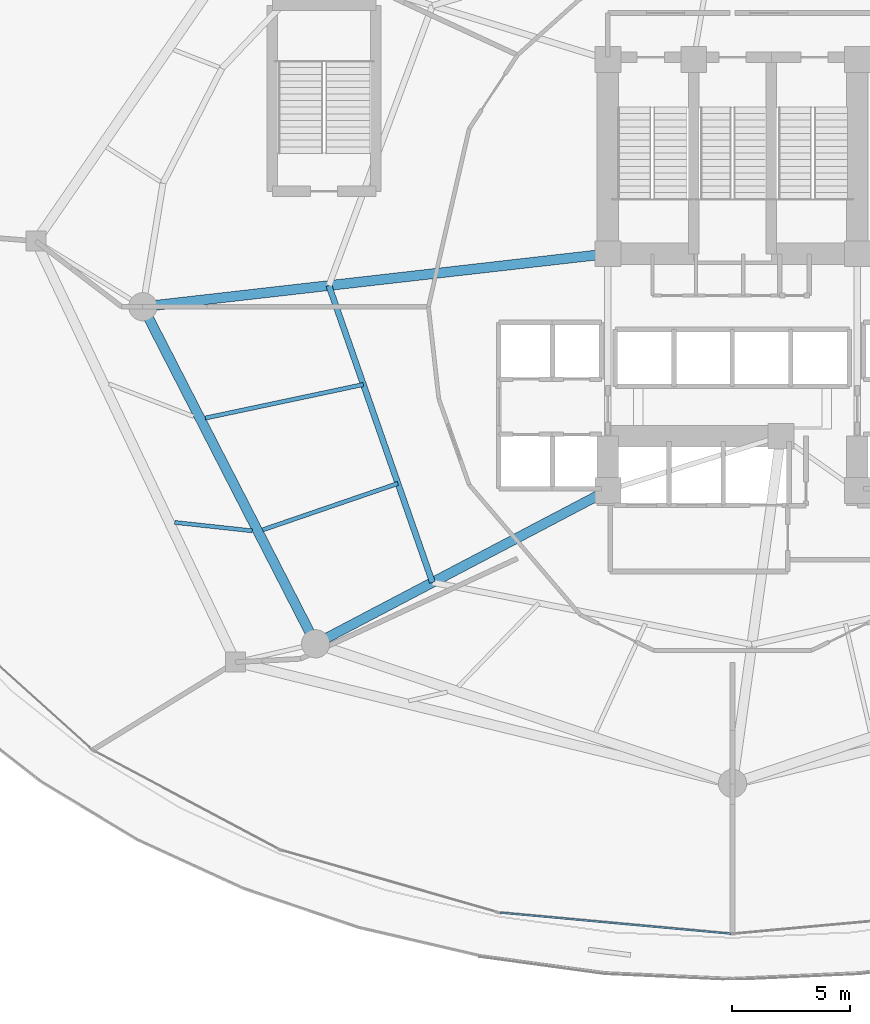
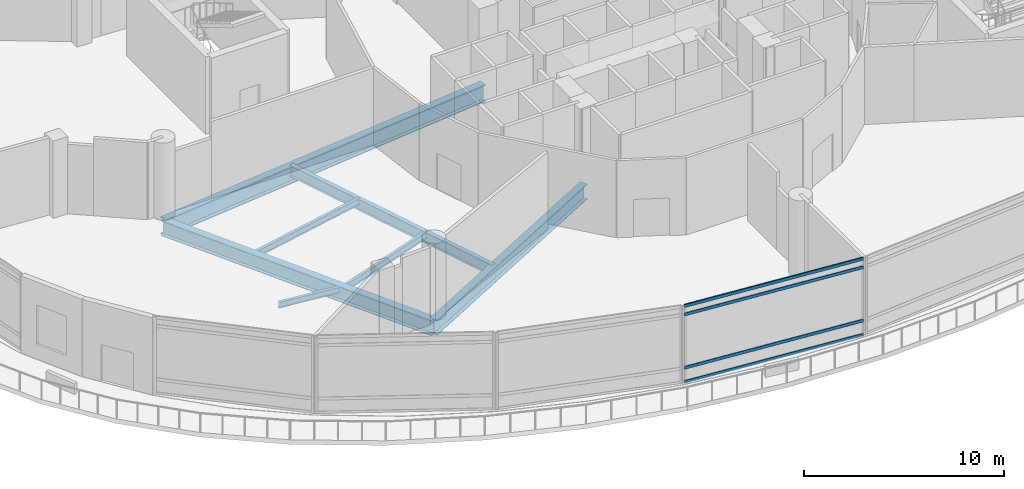
# One storey, part 8 of 37: 7 beams, 4 members, 1 element without a shape of its own.
"""IFC4 building model written with IfcOpenShell, lengths in metres."""

from ifc_helpers import new_model, si_unit, direction, frame, origin, origin_2d, place, context, subcontext, project, spatial, hollow_rectangle, i_section, extrude, material, layer, layer_set, material_profile, profile_set, type_object, element, aggregate, save


model = new_model("IFC4")

# Units and contexts
model_context = context("Model", 3, precision=1e-05, world=origin(), true_north=direction((0.0, 1.0)))
body_context = subcontext(model_context, "Body", "Model", "MODEL_VIEW")
ifc_project = project(units=[si_unit("LENGTHUNIT", "METRE"), si_unit("AREAUNIT", "SQUARE_METRE"), si_unit("VOLUMEUNIT", "CUBIC_METRE"), si_unit("PLANEANGLEUNIT", "RADIAN"), si_unit("MASSUNIT", "GRAM", prefix="KILO")], contexts=[model_context])

# Site, building, storey
site_placement = place(None, origin())
site = spatial("IfcSite", under=ifc_project, at=site_placement, CompositionType="ELEMENT")
building_placement = place(site_placement, origin())
building = spatial("IfcBuilding", under=site, at=building_placement, Name="Nuhasar Tower", CompositionType="ELEMENT")
storey_placement = place(building_placement, frame((0.0, 0.0, 6.0)))
storey = spatial("IfcBuildingStorey", under=building, at=storey_placement, Name="L01", CompositionType="ELEMENT", Elevation=6.0)

# Beams
ifc_material_1 = material(Name="Steel S355", Category="steel")
ifc_material_profile_1 = material_profile(ifc_material_1, i_section(OverallWidth=0.25390625, OverallDepth=0.68408203125, WebThickness=0.012451171875, FlangeThickness=0.018798828125, at=origin_2d()), Name="W27X94")
ifc_profile_set_1 = profile_set([ifc_material_profile_1], Name="Steel S355")
beam_type_1 = type_object("IfcBeamType", Name="BM-INRING-W27X94", PredefinedType="BEAM", material=ifc_profile_set_1)
beam_1_placement = place(storey_placement, frame((21.85009765625, 27.699951171875, -0.64208984375), z_axis=(0.329554049858, -0.944136710558, 0.0), x_axis=(0.944136710558, 0.329554049858, 0.0)))
element("IfcBeam", 1, at=beam_1_placement, inside=storey, type_object=beam_type_1, Name="L01 Inner Header Beam 08", PredefinedType="BEAM", context=body_context, shape_type="SweptSolid", body=[
    extrude(i_section(OverallWidth=0.25390625, OverallDepth=0.68408203125, WebThickness=0.012451171875, FlangeThickness=0.018798828125, at=origin_2d()), origin(), (0.0, 0.0, 1.0), 13.35693359375),
])
ifc_material_profile_2 = material_profile(ifc_material_1, i_section(OverallWidth=0.1708984375, OverallDepth=0.35205078125, WebThickness=0.0068359375, FlangeThickness=0.009765625, at=origin_2d()), Name="W14X30")
ifc_profile_set_2 = profile_set([ifc_material_profile_2], Name="Steel S355")
beam_type_2 = type_object("IfcBeamType", Name="BM-JST-W14X30", PredefinedType="JOIST", material=ifc_profile_set_2)
beam_2_placement = place(storey_placement, frame((18.595947265625, 17.281005859375, -0.47607421875), z_axis=(-0.994173354621, 0.107793046904, 0.0), x_axis=(-0.107793046904, -0.994173354621, 0.0)))
element("IfcBeam", 2, at=beam_2_placement, inside=storey, type_object=beam_type_2, Name="L01 Podium Secondary Joist 16", PredefinedType="JOIST", context=body_context, shape_type="SweptSolid", body=[
    extrude(i_section(OverallWidth=0.1708984375, OverallDepth=0.35205078125, WebThickness=0.0068359375, FlangeThickness=0.009765625, at=origin_2d()), origin(), (0.0, 0.0, 1.0), 3.311279296875),
])
ifc_material_profile_3 = material_profile(ifc_material_1, i_section(OverallWidth=0.177978515625, OverallDepth=0.406005859375, WebThickness=0.0078125, FlangeThickness=0.0126953125, at=origin_2d()), Name="W16X40")
ifc_profile_set_3 = profile_set([ifc_material_profile_3], Name="Steel S355")
beam_type_3 = type_object("IfcBeamType", Name="BM-JST-W16X40", PredefinedType="JOIST", material=ifc_profile_set_3)
beam_3_placement = place(storey_placement, frame((23.31689453125, 23.49609375, -0.5029296875), z_axis=(-0.978201506775, -0.207657920972, 0.0), x_axis=(0.207657920972, -0.978201506775, 0.0)))
element("IfcBeam", 3, at=beam_3_placement, inside=storey, type_object=beam_type_3, Name="L01 Secondary Floor Joist 15", PredefinedType="JOIST", context=body_context, shape_type="SweptSolid", body=[
    extrude(i_section(OverallWidth=0.177978515625, OverallDepth=0.406005859375, WebThickness=0.0078125, FlangeThickness=0.0126953125, at=origin_2d()), origin(), (0.0, 0.0, 1.0), 6.862548828125),
])
beam_4_placement = place(storey_placement, frame((24.784912109375, 19.29296875, -0.5029296875), z_axis=(-0.945915296606, -0.324413704469, 0.0), x_axis=(0.324413704469, -0.945915296606, 0.0)))
element("IfcBeam", 4, at=beam_4_placement, inside=storey, type_object=beam_type_3, Name="L01 Secondary Floor Joist 16", PredefinedType="JOIST", context=body_context, shape_type="SweptSolid", body=[
    extrude(i_section(OverallWidth=0.177978515625, OverallDepth=0.406005859375, WebThickness=0.0078125, FlangeThickness=0.0126953125, at=origin_2d()), origin(), (0.0, 0.0, 1.0), 6.075439453125),
])
ifc_material_profile_4 = material_profile(ifc_material_1, i_section(OverallWidth=0.419921875, OverallDepth=0.931884765625, WebThickness=0.021240234375, FlangeThickness=0.03662109375, at=origin_2d()), Name="W36X262")
ifc_profile_set_4 = profile_set([ifc_material_profile_4], Name="Steel S355")
beam_type_4 = type_object("IfcBeamType", Name="BM-POD-W36X262", PredefinedType="BEAM", material=ifc_profile_set_4)
beam_5_placement = place(storey_placement, frame((13.949951171875, 26.800048828125, -0.76611328125), z_axis=(0.456023040981, -0.88996796914, 0.0), x_axis=(0.88996796914, 0.456023040981, 0.0)))
element("IfcBeam", 5, at=beam_5_placement, inside=storey, type_object=beam_type_4, Name="L01 Mega-Column Ring Girder 08", PredefinedType="BEAM", context=body_context, shape_type="SweptSolid", body=[
    extrude(i_section(OverallWidth=0.419921875, OverallDepth=0.931884765625, WebThickness=0.021240234375, FlangeThickness=0.03662109375, at=origin_2d()), origin(), (0.0, 0.0, 1.0), 16.08935546875),
])
beam_6_placement = place(storey_placement, frame((33.699951171875, 19.0, -0.76611328125), z_axis=(-0.885330348705, -0.464962550816, 0.0), x_axis=(0.464962550816, -0.885330348705, 0.0)))
element("IfcBeam", 6, at=beam_6_placement, inside=storey, type_object=beam_type_4, Name="L01 Radial Floor Girder 01", PredefinedType="BEAM", context=body_context, shape_type="SweptSolid", body=[
    extrude(i_section(OverallWidth=0.419921875, OverallDepth=0.931884765625, WebThickness=0.021240234375, FlangeThickness=0.03662109375, at=origin_2d()), origin(), (0.0, 0.0, 1.0), 14.0205078125),
])
ifc_material_2 = material(Name="Steel S460", Category="steel")
ifc_material_profile_5 = material_profile(ifc_material_2, i_section(OverallWidth=0.419921875, OverallDepth=1.0400390625, WebThickness=0.031005859375, FlangeThickness=0.055908203125, at=origin_2d()), Name="W40X397")
ifc_profile_set_5 = profile_set([ifc_material_profile_5], Name="Steel S460")
beam_type_5 = type_object("IfcBeamType", Name="BM-XFER-W40X397", PredefinedType="USERDEFINED", material=ifc_profile_set_5)
beam_7_placement = place(storey_placement, frame((33.699951171875, 29.050048828125, -0.820068359375), z_axis=(-0.993573147212, -0.113191877531, 0.0), x_axis=(0.113191877531, -0.993573147212, 0.0)))
element("IfcBeam", 7, at=beam_7_placement, inside=storey, type_object=beam_type_5, Name="L01 Radial Floor Girder 08", ObjectType="GIRDER", PredefinedType="USERDEFINED", context=body_context, shape_type="SweptSolid", body=[
    extrude(i_section(OverallWidth=0.419921875, OverallDepth=1.0400390625, WebThickness=0.031005859375, FlangeThickness=0.055908203125, at=origin_2d()), origin(), (0.0, 0.0, 1.0), 19.877685546875),
])

# Curtain wall, members
ifc_material_3 = material(Name="Aluminium 6063-T6", Category="aluminium")
ifc_layer = layer(ifc_material_3, 0.219970703125)
ifc_layer_set = layer_set([ifc_layer], Name="Aluminium 6063-T6")
curtain_wall_type = type_object("IfcCurtainWallType", Name="CW-PODIUM", PredefinedType="NOTDEFINED", material=ifc_layer_set)
curtain_wall_placement = place(storey_placement, origin())
curtain_wall = element("IfcCurtainWall", 8, at=curtain_wall_placement, inside=storey, type_object=curtain_wall_type, Name="L01 Podium Curtain Wall Bay 18", PredefinedType="NOTDEFINED")
ifc_material_profile_6 = material_profile(ifc_material_3, hollow_rectangle(XDim=0.074951171875, YDim=0.179931640625, WallThickness=0.00439453125, at=origin_2d()), Name="CWT-1")
ifc_profile_set_6 = profile_set([ifc_material_profile_6], Name="Aluminium 6063-T6")
member_type = type_object("IfcMemberType", Name="CW-TRN-S1", PredefinedType="USERDEFINED", material=ifc_profile_set_6)
member_1_placement = place(storey_placement, frame((29.125732421875, 1.061279296875, 0.03759765625), z_axis=(0.995859583189, -0.090904843489, 0.0), x_axis=(0.090904843489, 0.995859583189, 0.0)))
member_1 = element("IfcMember", 9, at=member_1_placement, type_object=member_type, Name="CW-P1 transom 1.1", ObjectType="TRANSOM", PredefinedType="USERDEFINED", context=body_context, shape_type="SweptSolid", body=[
    extrude(hollow_rectangle(XDim=0.074951171875, YDim=0.179931640625, WallThickness=0.00439453125, at=origin_2d()), origin(), (0.0, 0.0, 1.0), 9.84033203125),
])
member_2_placement = place(storey_placement, frame((29.125732421875, 1.061279296875, 0.89990234375), z_axis=(0.995859583189, -0.090904843489, 0.0), x_axis=(0.090904843489, 0.995859583189, 0.0)))
member_2 = element("IfcMember", 10, at=member_2_placement, type_object=member_type, Name="CW-P1 transom 1.2", ObjectType="TRANSOM", PredefinedType="USERDEFINED", context=body_context, shape_type="SweptSolid", body=[
    extrude(hollow_rectangle(XDim=0.074951171875, YDim=0.179931640625, WallThickness=0.00439453125, at=origin_2d()), origin(), (0.0, 0.0, 1.0), 9.84033203125),
])
member_3_placement = place(storey_placement, frame((29.125732421875, 1.061279296875, 4.14990234375), z_axis=(0.995859583189, -0.090904843489, 0.0), x_axis=(0.090904843489, 0.995859583189, 0.0)))
member_3 = element("IfcMember", 11, at=member_3_placement, type_object=member_type, Name="CW-P1 transom 1.3", ObjectType="TRANSOM", PredefinedType="USERDEFINED", context=body_context, shape_type="SweptSolid", body=[
    extrude(hollow_rectangle(XDim=0.074951171875, YDim=0.179931640625, WallThickness=0.00439453125, at=origin_2d()), origin(), (0.0, 0.0, 1.0), 9.84033203125),
])
member_4_placement = place(storey_placement, frame((29.125732421875, 1.061279296875, 4.66259765625), z_axis=(0.995859583189, -0.090904843489, 0.0), x_axis=(0.090904843489, 0.995859583189, 0.0)))
member_4 = element("IfcMember", 12, at=member_4_placement, type_object=member_type, Name="CW-P1 transom 1.4", ObjectType="TRANSOM", PredefinedType="USERDEFINED", context=body_context, shape_type="SweptSolid", body=[
    extrude(hollow_rectangle(XDim=0.074951171875, YDim=0.179931640625, WallThickness=0.00439453125, at=origin_2d()), origin(), (0.0, 0.0, 1.0), 9.84033203125),
])
aggregate(curtain_wall, [member_1, member_2, member_3, member_4])

save(model, "model.ifc")
